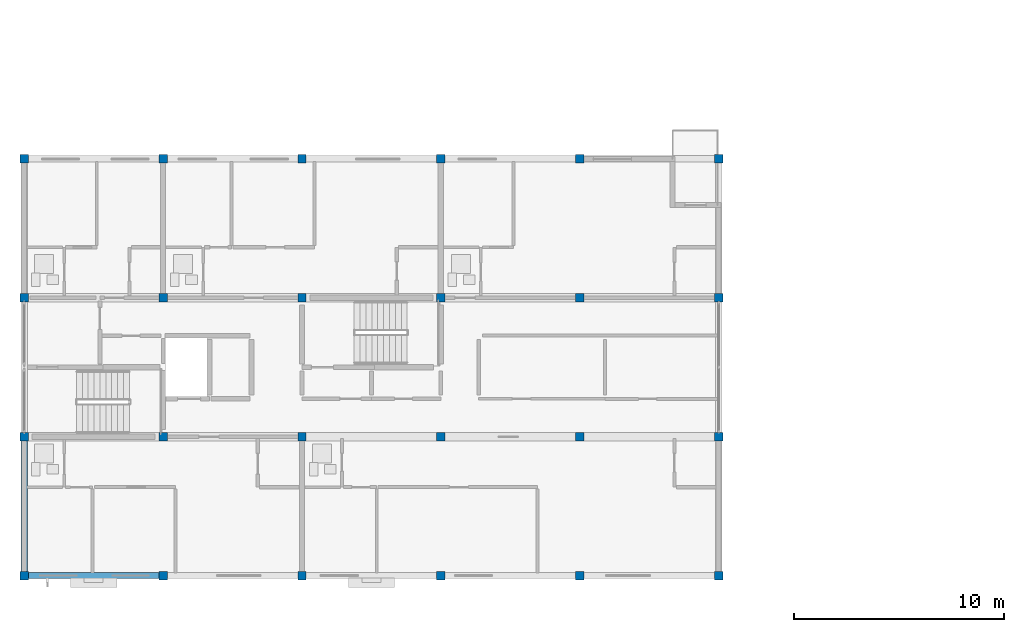
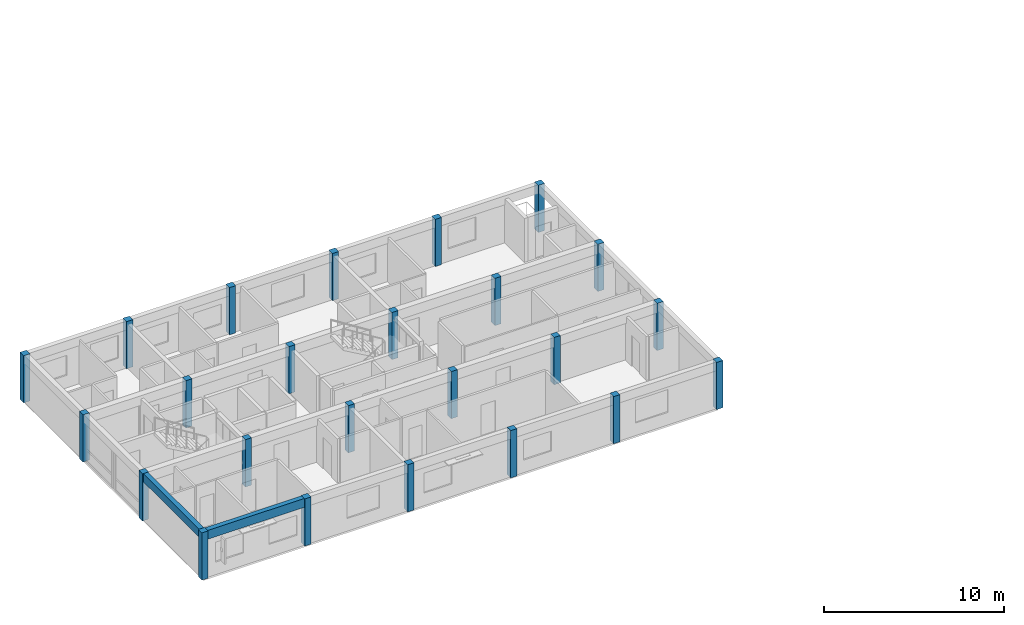
# One storey, part 1 of 15: 24 columns, 2 beams.
"""IFC4 building model written with IfcOpenShell, lengths in metres."""

from ifc_helpers import new_model, si_unit, direction, frame, origin, origin_2d, place, context, subcontext, project, spatial, rectangle, extrude, material, material_profile, profile_set, type_object, element, save


model = new_model("IFC4")

# Units and contexts
model_context = context("Model", 3, precision=1e-05, world=origin(), true_north=direction((0.0, 1.0)))
body_context = subcontext(model_context, "Body", "Model", "MODEL_VIEW")
ifc_project = project(units=[si_unit("LENGTHUNIT", "METRE"), si_unit("AREAUNIT", "SQUARE_METRE"), si_unit("VOLUMEUNIT", "CUBIC_METRE"), si_unit("PLANEANGLEUNIT", "RADIAN"), si_unit("MASSUNIT", "GRAM", prefix="KILO")], contexts=[model_context])

# Site, building, storey
site_placement = place(None, origin())
site = spatial("IfcSite", under=ifc_project, at=site_placement, CompositionType="ELEMENT")
building_placement = place(site_placement, origin())
building = spatial("IfcBuilding", under=site, at=building_placement, Name="Kernevlak Ridge Housing Community", CompositionType="ELEMENT")
storey_placement = place(building_placement, frame((0.0, 0.0, 50.0)))
storey = spatial("IfcBuildingStorey", under=building, at=storey_placement, Name="L15", CompositionType="ELEMENT", Elevation=50.0)

# Columns
ifc_material = material(Name="Concrete C35/45", Category="concrete")
ifc_material_profile_1 = material_profile(ifc_material, rectangle(XDim=0.39990234375, YDim=0.39990234375, at=origin_2d()), Name="RC 400x400")
ifc_profile_set_1 = profile_set([ifc_material_profile_1], Name="Concrete C35/45")
column_type = type_object("IfcColumnType", Name="C-05", PredefinedType="COLUMN", material=ifc_profile_set_1)
for number, where, z_axis, x_axis, name in (
    (1, (15.60009765625, 76.0, 0.0), (0.0, 0.0, 1.0), (1.0, 0.0, 0.0), "Column C-05 COL-A-L15-00-0"),
    (2, (15.60009765625, 82.60009765625, 0.0), (0.0, 0.0, 1.0), (1.0, 0.0, 0.0), "Column C-05 COL-A-L15-00-1"),
    (3, (15.60009765625, 89.199951171875, 0.0), (0.0, 0.0, 1.0), (1.0, 0.0, 0.0), "Column C-05 COL-A-L15-00-2"),
    (4, (15.60009765625, 95.800048828125, 0.0), (0.0, 0.0, 1.0), (1.0, 0.0, 0.0), "Column C-05 COL-A-L15-00-3"),
    (5, (22.199951171875, 76.0, 0.0), (0.0, 0.0, 1.0), (1.0, 0.0, 0.0), "Column C-05 COL-A-L15-01-0"),
    (6, (22.199951171875, 82.60009765625, 0.0), (0.0, 0.0, 1.0), (1.0, 0.0, 0.0), "Column C-05 COL-A-L15-01-1"),
    (7, (22.199951171875, 89.199951171875, 0.0), (0.0, 0.0, 1.0), (1.0, 0.0, 0.0), "Column C-05 COL-A-L15-01-2"),
    (8, (22.199951171875, 95.800048828125, 0.0), (0.0, 0.0, 1.0), (1.0, 0.0, 0.0), "Column C-05 COL-A-L15-01-3"),
    (9, (28.800048828125, 76.0, 0.0), (0.0, 0.0, 1.0), (1.0, 0.0, 0.0), "Column C-05 COL-A-L15-02-0"),
    (10, (28.800048828125, 82.60009765625, 0.0), (0.0, 0.0, 1.0), (1.0, 0.0, 0.0), "Column C-05 COL-A-L15-02-1"),
    (11, (28.800048828125, 89.199951171875, 0.0), (0.0, 0.0, 1.0), (1.0, 0.0, 0.0), "Column C-05 COL-A-L15-02-2"),
    (12, (28.800048828125, 95.800048828125, 0.0), (0.0, 0.0, 1.0), (1.0, 0.0, 0.0), "Column C-05 COL-A-L15-02-3"),
    (13, (35.39990234375, 76.0, 0.0), (0.0, 0.0, 1.0), (1.0, 0.0, 0.0), "Column C-05 COL-A-L15-03-0"),
    (14, (35.39990234375, 82.60009765625, 0.0), (0.0, 0.0, 1.0), (1.0, 0.0, 0.0), "Column C-05 COL-A-L15-03-1"),
    (15, (35.39990234375, 89.199951171875, 0.0), (0.0, 0.0, 1.0), (1.0, 0.0, 0.0), "Column C-05 COL-A-L15-03-2"),
    (16, (35.39990234375, 95.800048828125, 0.0), (0.0, 0.0, 1.0), (1.0, 0.0, 0.0), "Column C-05 COL-A-L15-03-3"),
    (17, (42.0, 76.0, 0.0), (0.0, 0.0, 1.0), (1.0, 0.0, 0.0), "Column C-05 COL-A-L15-04-0"),
    (18, (42.0, 82.60009765625, 0.0), (0.0, 0.0, 1.0), (1.0, 0.0, 0.0), "Column C-05 COL-A-L15-04-1"),
    (19, (42.0, 89.199951171875, 0.0), (0.0, 0.0, 1.0), (1.0, 0.0, 0.0), "Column C-05 COL-A-L15-04-2"),
    (20, (42.0, 95.800048828125, 0.0), (0.0, 0.0, 1.0), (1.0, 0.0, 0.0), "Column C-05 COL-A-L15-04-3"),
    (21, (48.60009765625, 76.0, 0.0), (0.0, 0.0, 1.0), (1.0, 0.0, 0.0), "Column C-05 COL-A-L15-05-0"),
    (22, (48.60009765625, 82.60009765625, 0.0), (0.0, 0.0, 1.0), (1.0, 0.0, 0.0), "Column C-05 COL-A-L15-05-1"),
    (23, (48.60009765625, 89.199951171875, 0.0), (0.0, 0.0, 1.0), (1.0, 0.0, 0.0), "Column C-05 COL-A-L15-05-2"),
    (24, (48.60009765625, 95.800048828125, 0.0), (0.0, 0.0, 1.0), (1.0, 0.0, 0.0), "Column C-05 COL-A-L15-05-3"),
):
    element("IfcColumn", number, at=place(storey_placement, frame(where, z_axis=z_axis, x_axis=x_axis)), inside=storey, type_object=column_type, Name=name, PredefinedType="COLUMN", context=body_context, shape_type="SweptSolid", body=[
        extrude(rectangle(XDim=0.39990234375, YDim=0.39990234375, at=origin_2d()), origin(), (0.0, 0.0, 1.0), 3.199951171875),
    ])

# Beams
ifc_material_profile_2 = material_profile(ifc_material, rectangle(XDim=0.300048828125, YDim=0.550048828125, at=origin_2d()), Name="RC 300x550")
ifc_profile_set_2 = profile_set([ifc_material_profile_2], Name="Concrete C35/45")
beam_type_1 = type_object("IfcBeamType", Name="SP-01", PredefinedType="SPANDREL", material=ifc_profile_set_2)
beam_1_placement = place(storey_placement, frame((15.60009765625, 76.199951171875, 2.925048828125), z_axis=(0.0, 1.0, 0.0), x_axis=(-1.0, 0.0, 0.0)))
element("IfcBeam", 25, at=beam_1_placement, inside=storey, type_object=beam_type_1, Name="Beam SP-01 L15 467", PredefinedType="SPANDREL", context=body_context, shape_type="SweptSolid", body=[
    extrude(rectangle(XDim=0.300048828125, YDim=0.550048828125, at=origin_2d()), origin(), (0.0, 0.0, 1.0), 6.199951171875),
])
ifc_material_profile_3 = material_profile(ifc_material, rectangle(XDim=0.300048828125, YDim=0.60009765625, at=origin_2d()), Name="RC 300x600")
ifc_profile_set_3 = profile_set([ifc_material_profile_3], Name="Concrete C35/45")
beam_type_2 = type_object("IfcBeamType", Name="SP-02", PredefinedType="SPANDREL", material=ifc_profile_set_3)
beam_2_placement = place(storey_placement, frame((15.800048828125, 76.0, 2.89990234375), z_axis=(1.0, 0.0, 0.0), x_axis=(0.0, 1.0, 0.0)))
element("IfcBeam", 26, at=beam_2_placement, inside=storey, type_object=beam_type_2, Name="Beam SP-02 L15 447", PredefinedType="SPANDREL", context=body_context, shape_type="SweptSolid", body=[
    extrude(rectangle(XDim=0.300048828125, YDim=0.60009765625, at=origin_2d()), origin(), (0.0, 0.0, 1.0), 6.199951171875),
])

save(model, "model.ifc")
